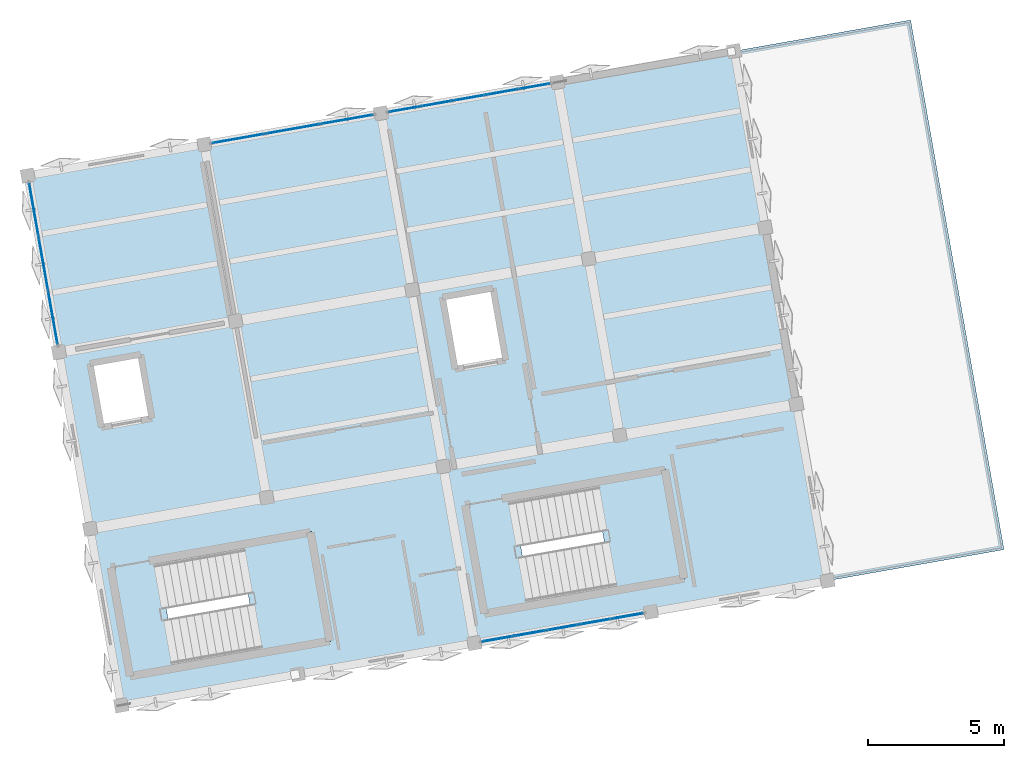
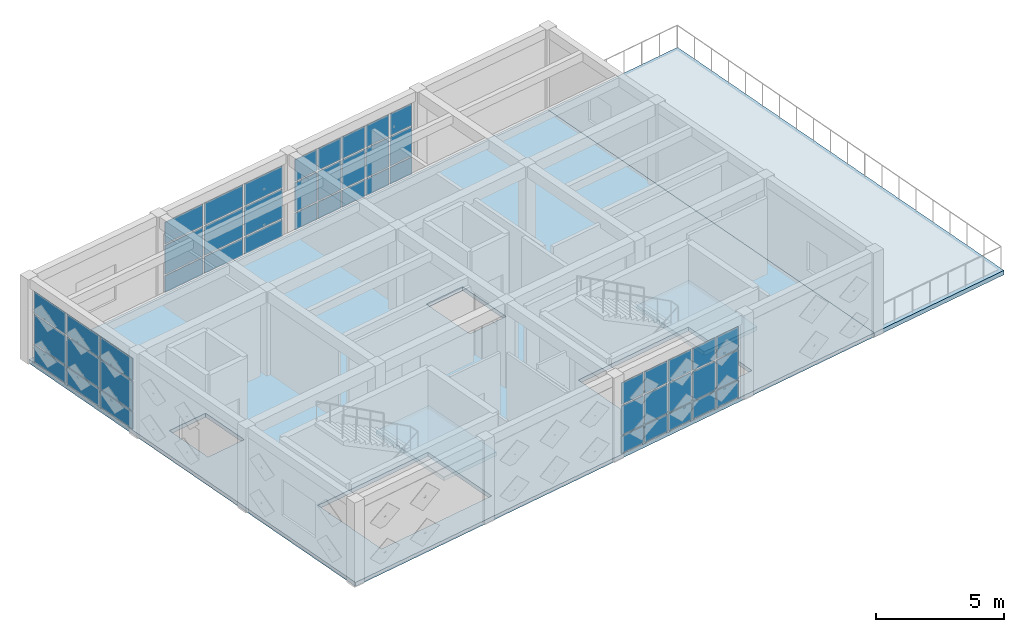
# One storey, part 8 of 13: 48 plates, 4 slabs, 6 elements without a shape of their own.
"""IFC4 building model written with IfcOpenShell, lengths in metres."""

from ifc_helpers import new_model, si_unit, direction, frame, origin, origin_2d, place, context, subcontext, project, spatial, polyline, rectangle, outline, extrude, material, layer, layer_set, type_object, element, aggregate, save


model = new_model("IFC4")

# Units and contexts
model_context = context("Model", 3, precision=1e-05, world=origin(), true_north=direction((0.0, 1.0)))
body_context = subcontext(model_context, "Body", "Model", "MODEL_VIEW")
ifc_project = project(units=[si_unit("LENGTHUNIT", "METRE"), si_unit("AREAUNIT", "SQUARE_METRE"), si_unit("VOLUMEUNIT", "CUBIC_METRE"), si_unit("PLANEANGLEUNIT", "RADIAN"), si_unit("MASSUNIT", "GRAM", prefix="KILO")], contexts=[model_context])

# Site, building, storey
site_placement = place(None, origin())
site = spatial("IfcSite", under=ifc_project, at=site_placement, CompositionType="ELEMENT")
building_placement = place(site_placement, origin())
building = spatial("IfcBuilding", under=site, at=building_placement, Name="Kharisveld Research Institute", CompositionType="ELEMENT")
storey_placement = place(building_placement, frame((0.0, 0.0, 45.0)))
storey = spatial("IfcBuildingStorey", under=building, at=storey_placement, Name="L10", CompositionType="ELEMENT", Elevation=45.0)

# Curtain wall, plates
ifc_material_1 = material(Name="Thermally Broken Aluminium Curtain Wall", Category="aluminium")
ifc_layer_1 = layer(ifc_material_1, 0.159912109375)
ifc_layer_set_1 = layer_set([ifc_layer_1], Name="CW_SYS_05")
curtain_wall_type_1 = type_object("IfcCurtainWallType", Name="CW_SYS_05", PredefinedType="NOTDEFINED", material=ifc_layer_set_1)
curtain_wall_1_placement = place(storey_placement, origin())
curtain_wall_1 = element("IfcCurtainWall", 1, at=curtain_wall_1_placement, inside=storey, type_object=curtain_wall_type_1, Name="CW:V1:L10:W2", PredefinedType="NOTDEFINED")
ifc_material_2 = material(Name="Low-E Double Glazing", Category="glass")
ifc_layer_2 = layer(ifc_material_2, 0.028076171875)
ifc_layer_set_2 = layer_set([ifc_layer_2], Name="CW_PNL_GLZ")
plate_type_1 = type_object("IfcPlateType", Name="CW_PNL_GLZ", PredefinedType="CURTAIN_PANEL", material=ifc_layer_set_2)
plate_1_placement = place(storey_placement, frame((2.685546875, 49.270751953125, 0.06494140625), z_axis=(0.0, 0.0, 1.0), x_axis=(-0.173648102039, 0.984807766347, 0.0)))
plate_1 = element("IfcPlate", 2, at=plate_1_placement, type_object=plate_type_1, Name="CW-05 panel 1.1", PredefinedType="CURTAIN_PANEL", context=body_context, shape_type="SweptSolid", body=[
    extrude(rectangle(XDim=1.931640625, YDim=0.028076171875, at=origin_2d()), origin(), (0.0, 0.0, 1.0), 0.802490234375),
])
plate_2_placement = place(storey_placement, frame((2.685546875, 49.270751953125, 0.9326171875), z_axis=(0.0, 0.0, 1.0), x_axis=(-0.173648102039, 0.984807766347, 0.0)))
plate_2 = element("IfcPlate", 3, at=plate_2_placement, type_object=plate_type_1, Name="CW-05 panel 1.2", PredefinedType="CURTAIN_PANEL", context=body_context, shape_type="SweptSolid", body=[
    extrude(rectangle(XDim=1.931640625, YDim=0.028076171875, at=origin_2d()), origin(), (0.0, 0.0, 1.0), 1.385009765625),
])
plate_3_placement = place(storey_placement, frame((2.685546875, 49.270751953125, 2.38232421875), z_axis=(0.0, 0.0, 1.0), x_axis=(-0.173648102039, 0.984807766347, 0.0)))
plate_3 = element("IfcPlate", 4, at=plate_3_placement, type_object=plate_type_1, Name="CW-05 panel 1.3", PredefinedType="CURTAIN_PANEL", context=body_context, shape_type="SweptSolid", body=[
    extrude(rectangle(XDim=1.931640625, YDim=0.028076171875, at=origin_2d()), origin(), (0.0, 0.0, 1.0), 1.032470703125),
])
plate_4_placement = place(storey_placement, frame((2.334716796875, 51.25927734375, 0.06494140625), z_axis=(0.0, 0.0, 1.0), x_axis=(-0.173648102039, 0.984807766347, 0.0)))
plate_4 = element("IfcPlate", 5, at=plate_4_placement, type_object=plate_type_1, Name="CW-05 panel 2.1", PredefinedType="CURTAIN_PANEL", context=body_context, shape_type="SweptSolid", body=[
    extrude(rectangle(XDim=1.966552734375, YDim=0.028076171875, at=origin_2d()), origin(), (0.0, 0.0, 1.0), 0.802490234375),
])
plate_5_placement = place(storey_placement, frame((2.334716796875, 51.25927734375, 0.9326171875), z_axis=(0.0, 0.0, 1.0), x_axis=(-0.173648102039, 0.984807766347, 0.0)))
plate_5 = element("IfcPlate", 6, at=plate_5_placement, type_object=plate_type_1, Name="CW-05 panel 2.2", PredefinedType="CURTAIN_PANEL", context=body_context, shape_type="SweptSolid", body=[
    extrude(rectangle(XDim=1.966552734375, YDim=0.028076171875, at=origin_2d()), origin(), (0.0, 0.0, 1.0), 1.385009765625),
])
plate_6_placement = place(storey_placement, frame((2.334716796875, 51.25927734375, 2.38232421875), z_axis=(0.0, 0.0, 1.0), x_axis=(-0.173648102039, 0.984807766347, 0.0)))
plate_6 = element("IfcPlate", 7, at=plate_6_placement, type_object=plate_type_1, Name="CW-05 panel 2.3", PredefinedType="CURTAIN_PANEL", context=body_context, shape_type="SweptSolid", body=[
    extrude(rectangle(XDim=1.966552734375, YDim=0.028076171875, at=origin_2d()), origin(), (0.0, 0.0, 1.0), 1.032470703125),
])
plate_7_placement = place(storey_placement, frame((1.984130859375, 53.247802734375, 0.06494140625), z_axis=(0.0, 0.0, 1.0), x_axis=(-0.173648102039, 0.984807766347, 0.0)))
plate_7 = element("IfcPlate", 8, at=plate_7_placement, type_object=plate_type_1, Name="CW-05 panel 3.1", PredefinedType="CURTAIN_PANEL", context=body_context, shape_type="SweptSolid", body=[
    extrude(rectangle(XDim=1.931640625, YDim=0.028076171875, at=origin_2d()), origin(), (0.0, 0.0, 1.0), 0.802490234375),
])
plate_8_placement = place(storey_placement, frame((1.984130859375, 53.247802734375, 0.9326171875), z_axis=(0.0, 0.0, 1.0), x_axis=(-0.173648102039, 0.984807766347, 0.0)))
plate_8 = element("IfcPlate", 9, at=plate_8_placement, type_object=plate_type_1, Name="CW-05 panel 3.2", PredefinedType="CURTAIN_PANEL", context=body_context, shape_type="SweptSolid", body=[
    extrude(rectangle(XDim=1.931640625, YDim=0.028076171875, at=origin_2d()), origin(), (0.0, 0.0, 1.0), 1.385009765625),
])
plate_9_placement = place(storey_placement, frame((1.984130859375, 53.247802734375, 2.38232421875), z_axis=(0.0, 0.0, 1.0), x_axis=(-0.173648102039, 0.984807766347, 0.0)))
plate_9 = element("IfcPlate", 10, at=plate_9_placement, type_object=plate_type_1, Name="CW-05 panel 3.3", PredefinedType="CURTAIN_PANEL", context=body_context, shape_type="SweptSolid", body=[
    extrude(rectangle(XDim=1.931640625, YDim=0.028076171875, at=origin_2d()), origin(), (0.0, 0.0, 1.0), 1.032470703125),
])
aggregate(curtain_wall_1, [plate_1, plate_2, plate_3, plate_4, plate_5, plate_6, plate_7, plate_8, plate_9])

ifc_material_3 = material(Name="Thermally Broken Aluminium Curtain Wall", Category="aluminium")
ifc_layer_3 = layer(ifc_material_3, 0.159912109375)
ifc_layer_set_3 = layer_set([ifc_layer_3], Name="CW_SYS_06")
curtain_wall_type_2 = type_object("IfcCurtainWallType", Name="CW_SYS_06", PredefinedType="NOTDEFINED", material=ifc_layer_set_3)
curtain_wall_2_placement = place(storey_placement, origin())
curtain_wall_2 = element("IfcCurtainWall", 11, at=curtain_wall_2_placement, inside=storey, type_object=curtain_wall_type_2, Name="CW:V1:L10:N1", PredefinedType="NOTDEFINED")
plate_10_placement = place(storey_placement, frame((9.52294921875, 55.877685546875, 0.06494140625), z_axis=(0.0, 0.0, 1.0), x_axis=(0.984807761413, 0.173648130021, 0.0)))
plate_10 = element("IfcPlate", 12, at=plate_10_placement, type_object=plate_type_1, Name="CW-06 panel 1.1", PredefinedType="CURTAIN_PANEL", context=body_context, shape_type="SweptSolid", body=[
    extrude(rectangle(XDim=1.931640625, YDim=0.028076171875, at=origin_2d()), origin(), (0.0, 0.0, 1.0), 0.802490234375),
])
plate_11_placement = place(storey_placement, frame((9.52294921875, 55.877685546875, 0.9326171875), z_axis=(0.0, 0.0, 1.0), x_axis=(0.984807761413, 0.173648130021, 0.0)))
plate_11 = element("IfcPlate", 13, at=plate_11_placement, type_object=plate_type_1, Name="CW-06 panel 1.2", PredefinedType="CURTAIN_PANEL", context=body_context, shape_type="SweptSolid", body=[
    extrude(rectangle(XDim=1.931640625, YDim=0.028076171875, at=origin_2d()), origin(), (0.0, 0.0, 1.0), 1.385009765625),
])
plate_12_placement = place(storey_placement, frame((9.52294921875, 55.877685546875, 2.38232421875), z_axis=(0.0, 0.0, 1.0), x_axis=(0.984807761413, 0.173648130021, 0.0)))
plate_12 = element("IfcPlate", 14, at=plate_12_placement, type_object=plate_type_1, Name="CW-06 panel 1.3", PredefinedType="CURTAIN_PANEL", context=body_context, shape_type="SweptSolid", body=[
    extrude(rectangle(XDim=1.931640625, YDim=0.028076171875, at=origin_2d()), origin(), (0.0, 0.0, 1.0), 1.032470703125),
])
plate_13_placement = place(storey_placement, frame((11.511474609375, 56.228271484375, 0.06494140625), z_axis=(0.0, 0.0, 1.0), x_axis=(0.984807761413, 0.173648130021, 0.0)))
plate_13 = element("IfcPlate", 15, at=plate_13_placement, type_object=plate_type_1, Name="CW-06 panel 2.1", PredefinedType="CURTAIN_PANEL", context=body_context, shape_type="SweptSolid", body=[
    extrude(rectangle(XDim=1.966552734375, YDim=0.028076171875, at=origin_2d()), origin(), (0.0, 0.0, 1.0), 0.802490234375),
])
plate_14_placement = place(storey_placement, frame((11.511474609375, 56.228271484375, 0.9326171875), z_axis=(0.0, 0.0, 1.0), x_axis=(0.984807761413, 0.173648130021, 0.0)))
plate_14 = element("IfcPlate", 16, at=plate_14_placement, type_object=plate_type_1, Name="CW-06 panel 2.2", PredefinedType="CURTAIN_PANEL", context=body_context, shape_type="SweptSolid", body=[
    extrude(rectangle(XDim=1.966552734375, YDim=0.028076171875, at=origin_2d()), origin(), (0.0, 0.0, 1.0), 1.385009765625),
])
plate_15_placement = place(storey_placement, frame((11.511474609375, 56.228271484375, 2.38232421875), z_axis=(0.0, 0.0, 1.0), x_axis=(0.984807761413, 0.173648130021, 0.0)))
plate_15 = element("IfcPlate", 17, at=plate_15_placement, type_object=plate_type_1, Name="CW-06 panel 2.3", PredefinedType="CURTAIN_PANEL", context=body_context, shape_type="SweptSolid", body=[
    extrude(rectangle(XDim=1.966552734375, YDim=0.028076171875, at=origin_2d()), origin(), (0.0, 0.0, 1.0), 1.032470703125),
])
plate_16_placement = place(storey_placement, frame((13.499755859375, 56.578857421875, 0.06494140625), z_axis=(0.0, 0.0, 1.0), x_axis=(0.984807761413, 0.173648130021, 0.0)))
plate_16 = element("IfcPlate", 18, at=plate_16_placement, type_object=plate_type_1, Name="CW-06 panel 3.1", PredefinedType="CURTAIN_PANEL", context=body_context, shape_type="SweptSolid", body=[
    extrude(rectangle(XDim=1.931640625, YDim=0.028076171875, at=origin_2d()), origin(), (0.0, 0.0, 1.0), 0.802490234375),
])
plate_17_placement = place(storey_placement, frame((13.499755859375, 56.578857421875, 0.9326171875), z_axis=(0.0, 0.0, 1.0), x_axis=(0.984807761413, 0.173648130021, 0.0)))
plate_17 = element("IfcPlate", 19, at=plate_17_placement, type_object=plate_type_1, Name="CW-06 panel 3.2", PredefinedType="CURTAIN_PANEL", context=body_context, shape_type="SweptSolid", body=[
    extrude(rectangle(XDim=1.931640625, YDim=0.028076171875, at=origin_2d()), origin(), (0.0, 0.0, 1.0), 1.385009765625),
])
plate_18_placement = place(storey_placement, frame((13.499755859375, 56.578857421875, 2.38232421875), z_axis=(0.0, 0.0, 1.0), x_axis=(0.984807761413, 0.173648130021, 0.0)))
plate_18 = element("IfcPlate", 20, at=plate_18_placement, type_object=plate_type_1, Name="CW-06 panel 3.3", PredefinedType="CURTAIN_PANEL", context=body_context, shape_type="SweptSolid", body=[
    extrude(rectangle(XDim=1.931640625, YDim=0.028076171875, at=origin_2d()), origin(), (0.0, 0.0, 1.0), 1.032470703125),
])
aggregate(curtain_wall_2, [plate_10, plate_11, plate_12, plate_13, plate_14, plate_15, plate_16, plate_17, plate_18])

ifc_material_4 = material(Name="Thermally Broken Aluminium Curtain Wall", Category="aluminium")
ifc_layer_4 = layer(ifc_material_4, 0.159912109375)
ifc_layer_set_4 = layer_set([ifc_layer_4], Name="CW_SYS_01")
curtain_wall_type_3 = type_object("IfcCurtainWallType", Name="CW_SYS_01", PredefinedType="NOTDEFINED", material=ifc_layer_set_4)
curtain_wall_3_placement = place(storey_placement, origin())
curtain_wall_3 = element("IfcCurtainWall", 21, at=curtain_wall_3_placement, inside=storey, type_object=curtain_wall_type_3, Name="CW:V1:L10:N2", PredefinedType="NOTDEFINED")
plate_19_placement = place(storey_placement, frame((15.621337890625, 56.953125, 0.06494140625), z_axis=(0.0, 0.0, 1.0), x_axis=(0.984807766347, 0.173648102039, 0.0)))
plate_19 = element("IfcPlate", 22, at=plate_19_placement, type_object=plate_type_1, Name="CW-01 panel 1.1", PredefinedType="CURTAIN_PANEL", context=body_context, shape_type="SweptSolid", body=[
    extrude(rectangle(XDim=1.116943359375, YDim=0.028076171875, at=origin_2d()), origin(), (0.0, 0.0, 1.0), 0.802490234375),
])
plate_20_placement = place(storey_placement, frame((15.621337890625, 56.953125, 0.9326171875), z_axis=(0.0, 0.0, 1.0), x_axis=(0.984807766347, 0.173648102039, 0.0)))
plate_20 = element("IfcPlate", 23, at=plate_20_placement, type_object=plate_type_1, Name="CW-01 panel 1.2", PredefinedType="CURTAIN_PANEL", context=body_context, shape_type="SweptSolid", body=[
    extrude(rectangle(XDim=1.116943359375, YDim=0.028076171875, at=origin_2d()), origin(), (0.0, 0.0, 1.0), 1.385009765625),
])
plate_21_placement = place(storey_placement, frame((15.621337890625, 56.953125, 2.38232421875), z_axis=(0.0, 0.0, 1.0), x_axis=(0.984807766347, 0.173648102039, 0.0)))
plate_21 = element("IfcPlate", 24, at=plate_21_placement, type_object=plate_type_1, Name="CW-01 panel 1.3", PredefinedType="CURTAIN_PANEL", context=body_context, shape_type="SweptSolid", body=[
    extrude(rectangle(XDim=1.116943359375, YDim=0.028076171875, at=origin_2d()), origin(), (0.0, 0.0, 1.0), 1.032470703125),
])
plate_22_placement = place(storey_placement, frame((16.8076171875, 57.162109375, 0.06494140625), z_axis=(0.0, 0.0, 1.0), x_axis=(0.984807766347, 0.173648102039, 0.0)))
plate_22 = element("IfcPlate", 25, at=plate_22_placement, type_object=plate_type_1, Name="CW-01 panel 2.1", PredefinedType="CURTAIN_PANEL", context=body_context, shape_type="SweptSolid", body=[
    extrude(rectangle(XDim=1.152099609375, YDim=0.028076171875, at=origin_2d()), origin(), (0.0, 0.0, 1.0), 0.802490234375),
])
plate_23_placement = place(storey_placement, frame((16.8076171875, 57.162109375, 0.9326171875), z_axis=(0.0, 0.0, 1.0), x_axis=(0.984807766347, 0.173648102039, 0.0)))
plate_23 = element("IfcPlate", 26, at=plate_23_placement, type_object=plate_type_1, Name="CW-01 panel 2.2", PredefinedType="CURTAIN_PANEL", context=body_context, shape_type="SweptSolid", body=[
    extrude(rectangle(XDim=1.152099609375, YDim=0.028076171875, at=origin_2d()), origin(), (0.0, 0.0, 1.0), 1.385009765625),
])
plate_24_placement = place(storey_placement, frame((16.8076171875, 57.162109375, 2.38232421875), z_axis=(0.0, 0.0, 1.0), x_axis=(0.984807766347, 0.173648102039, 0.0)))
plate_24 = element("IfcPlate", 27, at=plate_24_placement, type_object=plate_type_1, Name="CW-01 panel 2.3", PredefinedType="CURTAIN_PANEL", context=body_context, shape_type="SweptSolid", body=[
    extrude(rectangle(XDim=1.152099609375, YDim=0.028076171875, at=origin_2d()), origin(), (0.0, 0.0, 1.0), 1.032470703125),
])
plate_25_placement = place(storey_placement, frame((18.010986328125, 57.374267578125, 0.06494140625), z_axis=(0.0, 0.0, 1.0), x_axis=(0.984807766347, 0.173648102039, 0.0)))
plate_25 = element("IfcPlate", 28, at=plate_25_placement, type_object=plate_type_1, Name="CW-01 panel 3.1", PredefinedType="CURTAIN_PANEL", context=body_context, shape_type="SweptSolid", body=[
    extrude(rectangle(XDim=1.152099609375, YDim=0.028076171875, at=origin_2d()), origin(), (0.0, 0.0, 1.0), 0.802490234375),
])
plate_26_placement = place(storey_placement, frame((18.010986328125, 57.374267578125, 0.9326171875), z_axis=(0.0, 0.0, 1.0), x_axis=(0.984807766347, 0.173648102039, 0.0)))
plate_26 = element("IfcPlate", 29, at=plate_26_placement, type_object=plate_type_1, Name="CW-01 panel 3.2", PredefinedType="CURTAIN_PANEL", context=body_context, shape_type="SweptSolid", body=[
    extrude(rectangle(XDim=1.152099609375, YDim=0.028076171875, at=origin_2d()), origin(), (0.0, 0.0, 1.0), 1.385009765625),
])
plate_27_placement = place(storey_placement, frame((18.010986328125, 57.374267578125, 2.38232421875), z_axis=(0.0, 0.0, 1.0), x_axis=(0.984807766347, 0.173648102039, 0.0)))
plate_27 = element("IfcPlate", 30, at=plate_27_placement, type_object=plate_type_1, Name="CW-01 panel 3.3", PredefinedType="CURTAIN_PANEL", context=body_context, shape_type="SweptSolid", body=[
    extrude(rectangle(XDim=1.152099609375, YDim=0.028076171875, at=origin_2d()), origin(), (0.0, 0.0, 1.0), 1.032470703125),
])
plate_28_placement = place(storey_placement, frame((19.214599609375, 57.586669921875, 0.06494140625), z_axis=(0.0, 0.0, 1.0), x_axis=(0.984807766347, 0.173648102039, 0.0)))
plate_28 = element("IfcPlate", 31, at=plate_28_placement, type_object=plate_type_1, Name="CW-01 panel 4.1", PredefinedType="CURTAIN_PANEL", context=body_context, shape_type="SweptSolid", body=[
    extrude(rectangle(XDim=1.152099609375, YDim=0.028076171875, at=origin_2d()), origin(), (0.0, 0.0, 1.0), 0.802490234375),
])
plate_29_placement = place(storey_placement, frame((19.214599609375, 57.586669921875, 0.9326171875), z_axis=(0.0, 0.0, 1.0), x_axis=(0.984807766347, 0.173648102039, 0.0)))
plate_29 = element("IfcPlate", 32, at=plate_29_placement, type_object=plate_type_1, Name="CW-01 panel 4.2", PredefinedType="CURTAIN_PANEL", context=body_context, shape_type="SweptSolid", body=[
    extrude(rectangle(XDim=1.152099609375, YDim=0.028076171875, at=origin_2d()), origin(), (0.0, 0.0, 1.0), 1.385009765625),
])
plate_30_placement = place(storey_placement, frame((19.214599609375, 57.586669921875, 2.38232421875), z_axis=(0.0, 0.0, 1.0), x_axis=(0.984807766347, 0.173648102039, 0.0)))
plate_30 = element("IfcPlate", 33, at=plate_30_placement, type_object=plate_type_1, Name="CW-01 panel 4.3", PredefinedType="CURTAIN_PANEL", context=body_context, shape_type="SweptSolid", body=[
    extrude(rectangle(XDim=1.152099609375, YDim=0.028076171875, at=origin_2d()), origin(), (0.0, 0.0, 1.0), 1.032470703125),
])
plate_31_placement = place(storey_placement, frame((20.400634765625, 57.795654296875, 0.06494140625), z_axis=(0.0, 0.0, 1.0), x_axis=(0.984807766347, 0.173648102039, 0.0)))
plate_31 = element("IfcPlate", 34, at=plate_31_placement, type_object=plate_type_1, Name="CW-01 panel 5.1", PredefinedType="CURTAIN_PANEL", context=body_context, shape_type="SweptSolid", body=[
    extrude(rectangle(XDim=1.116943359375, YDim=0.028076171875, at=origin_2d()), origin(), (0.0, 0.0, 1.0), 0.802490234375),
])
plate_32_placement = place(storey_placement, frame((20.400634765625, 57.795654296875, 0.9326171875), z_axis=(0.0, 0.0, 1.0), x_axis=(0.984807766347, 0.173648102039, 0.0)))
plate_32 = element("IfcPlate", 35, at=plate_32_placement, type_object=plate_type_1, Name="CW-01 panel 5.2", PredefinedType="CURTAIN_PANEL", context=body_context, shape_type="SweptSolid", body=[
    extrude(rectangle(XDim=1.116943359375, YDim=0.028076171875, at=origin_2d()), origin(), (0.0, 0.0, 1.0), 1.385009765625),
])
plate_33_placement = place(storey_placement, frame((20.400634765625, 57.795654296875, 2.38232421875), z_axis=(0.0, 0.0, 1.0), x_axis=(0.984807766347, 0.173648102039, 0.0)))
plate_33 = element("IfcPlate", 36, at=plate_33_placement, type_object=plate_type_1, Name="CW-01 panel 5.3", PredefinedType="CURTAIN_PANEL", context=body_context, shape_type="SweptSolid", body=[
    extrude(rectangle(XDim=1.116943359375, YDim=0.028076171875, at=origin_2d()), origin(), (0.0, 0.0, 1.0), 1.032470703125),
])
aggregate(curtain_wall_3, [plate_19, plate_20, plate_21, plate_22, plate_23, plate_24, plate_25, plate_26, plate_27, plate_28, plate_29, plate_30, plate_31, plate_32, plate_33])

ifc_material_5 = material(Name="Thermally Broken Aluminium Curtain Wall", Category="aluminium")
ifc_layer_5 = layer(ifc_material_5, 0.159912109375)
ifc_layer_set_5 = layer_set([ifc_layer_5], Name="CW_SYS_02")
curtain_wall_type_4 = type_object("IfcCurtainWallType", Name="CW_SYS_02", PredefinedType="NOTDEFINED", material=ifc_layer_set_5)
curtain_wall_4_placement = place(storey_placement, origin())
curtain_wall_4 = element("IfcCurtainWall", 37, at=curtain_wall_4_placement, inside=storey, type_object=curtain_wall_type_4, Name="CW:V1:L10:S3", PredefinedType="NOTDEFINED")
ifc_material_6 = material(Name="Insulated Spandrel Glazing", Category="glass")
ifc_layer_6 = layer(ifc_material_6, 0.035888671875)
ifc_layer_set_6 = layer_set([ifc_layer_6], Name="CW_PNL_SPD")
plate_type_2 = type_object("IfcPlateType", Name="CW_PNL_SPD", PredefinedType="CURTAIN_PANEL", material=ifc_layer_set_6)
plate_34_placement = place(storey_placement, frame((23.8388671875, 38.296630859375, 0.06494140625), z_axis=(0.0, 0.0, 1.0), x_axis=(-0.984807766347, -0.173648102039, 0.0)))
plate_34 = element("IfcPlate", 38, at=plate_34_placement, type_object=plate_type_2, Name="CW-02 panel 1.1", PredefinedType="CURTAIN_PANEL", context=body_context, shape_type="SweptSolid", body=[
    extrude(rectangle(XDim=1.116943359375, YDim=0.035888671875, at=origin_2d()), origin(), (0.0, 0.0, 1.0), 0.802490234375),
])
plate_35_placement = place(storey_placement, frame((23.8388671875, 38.296630859375, 0.9326171875), z_axis=(0.0, 0.0, 1.0), x_axis=(-0.984807766347, -0.173648102039, 0.0)))
plate_35 = element("IfcPlate", 39, at=plate_35_placement, type_object=plate_type_2, Name="CW-02 panel 1.2", PredefinedType="CURTAIN_PANEL", context=body_context, shape_type="SweptSolid", body=[
    extrude(rectangle(XDim=1.116943359375, YDim=0.035888671875, at=origin_2d()), origin(), (0.0, 0.0, 1.0), 1.385009765625),
])
plate_36_placement = place(storey_placement, frame((23.8388671875, 38.296630859375, 2.38232421875), z_axis=(0.0, 0.0, 1.0), x_axis=(-0.984807766347, -0.173648102039, 0.0)))
plate_36 = element("IfcPlate", 40, at=plate_36_placement, type_object=plate_type_2, Name="CW-02 panel 1.3", PredefinedType="CURTAIN_PANEL", context=body_context, shape_type="SweptSolid", body=[
    extrude(rectangle(XDim=1.116943359375, YDim=0.035888671875, at=origin_2d()), origin(), (0.0, 0.0, 1.0), 1.032470703125),
])
plate_37_placement = place(storey_placement, frame((22.65283203125, 38.08740234375, 0.06494140625), z_axis=(0.0, 0.0, 1.0), x_axis=(-0.984807766347, -0.173648102039, 0.0)))
plate_37 = element("IfcPlate", 41, at=plate_37_placement, type_object=plate_type_2, Name="CW-02 panel 2.1", PredefinedType="CURTAIN_PANEL", context=body_context, shape_type="SweptSolid", body=[
    extrude(rectangle(XDim=1.152099609375, YDim=0.035888671875, at=origin_2d()), origin(), (0.0, 0.0, 1.0), 0.802490234375),
])
plate_38_placement = place(storey_placement, frame((22.65283203125, 38.08740234375, 0.9326171875), z_axis=(0.0, 0.0, 1.0), x_axis=(-0.984807766347, -0.173648102039, 0.0)))
plate_38 = element("IfcPlate", 42, at=plate_38_placement, type_object=plate_type_2, Name="CW-02 panel 2.2", PredefinedType="CURTAIN_PANEL", context=body_context, shape_type="SweptSolid", body=[
    extrude(rectangle(XDim=1.152099609375, YDim=0.035888671875, at=origin_2d()), origin(), (0.0, 0.0, 1.0), 1.385009765625),
])
plate_39_placement = place(storey_placement, frame((22.65283203125, 38.08740234375, 2.38232421875), z_axis=(0.0, 0.0, 1.0), x_axis=(-0.984807766347, -0.173648102039, 0.0)))
plate_39 = element("IfcPlate", 43, at=plate_39_placement, type_object=plate_type_2, Name="CW-02 panel 2.3", PredefinedType="CURTAIN_PANEL", context=body_context, shape_type="SweptSolid", body=[
    extrude(rectangle(XDim=1.152099609375, YDim=0.035888671875, at=origin_2d()), origin(), (0.0, 0.0, 1.0), 1.032470703125),
])
plate_40_placement = place(storey_placement, frame((21.44921875, 37.875244140625, 0.06494140625), z_axis=(0.0, 0.0, 1.0), x_axis=(-0.984807766347, -0.173648102039, 0.0)))
plate_40 = element("IfcPlate", 44, at=plate_40_placement, type_object=plate_type_2, Name="CW-02 panel 3.1", PredefinedType="CURTAIN_PANEL", context=body_context, shape_type="SweptSolid", body=[
    extrude(rectangle(XDim=1.152099609375, YDim=0.035888671875, at=origin_2d()), origin(), (0.0, 0.0, 1.0), 0.802490234375),
])
plate_41_placement = place(storey_placement, frame((21.44921875, 37.875244140625, 0.9326171875), z_axis=(0.0, 0.0, 1.0), x_axis=(-0.984807766347, -0.173648102039, 0.0)))
plate_41 = element("IfcPlate", 45, at=plate_41_placement, type_object=plate_type_2, Name="CW-02 panel 3.2", PredefinedType="CURTAIN_PANEL", context=body_context, shape_type="SweptSolid", body=[
    extrude(rectangle(XDim=1.152099609375, YDim=0.035888671875, at=origin_2d()), origin(), (0.0, 0.0, 1.0), 1.385009765625),
])
plate_42_placement = place(storey_placement, frame((21.44921875, 37.875244140625, 2.38232421875), z_axis=(0.0, 0.0, 1.0), x_axis=(-0.984807766347, -0.173648102039, 0.0)))
plate_42 = element("IfcPlate", 46, at=plate_42_placement, type_object=plate_type_2, Name="CW-02 panel 3.3", PredefinedType="CURTAIN_PANEL", context=body_context, shape_type="SweptSolid", body=[
    extrude(rectangle(XDim=1.152099609375, YDim=0.035888671875, at=origin_2d()), origin(), (0.0, 0.0, 1.0), 1.032470703125),
])
plate_43_placement = place(storey_placement, frame((20.245849609375, 37.6630859375, 0.06494140625), z_axis=(0.0, 0.0, 1.0), x_axis=(-0.984807766347, -0.173648102039, 0.0)))
plate_43 = element("IfcPlate", 47, at=plate_43_placement, type_object=plate_type_2, Name="CW-02 panel 4.1", PredefinedType="CURTAIN_PANEL", context=body_context, shape_type="SweptSolid", body=[
    extrude(rectangle(XDim=1.152099609375, YDim=0.035888671875, at=origin_2d()), origin(), (0.0, 0.0, 1.0), 0.802490234375),
])
plate_44_placement = place(storey_placement, frame((20.245849609375, 37.6630859375, 0.9326171875), z_axis=(0.0, 0.0, 1.0), x_axis=(-0.984807766347, -0.173648102039, 0.0)))
plate_44 = element("IfcPlate", 48, at=plate_44_placement, type_object=plate_type_2, Name="CW-02 panel 4.2", PredefinedType="CURTAIN_PANEL", context=body_context, shape_type="SweptSolid", body=[
    extrude(rectangle(XDim=1.152099609375, YDim=0.035888671875, at=origin_2d()), origin(), (0.0, 0.0, 1.0), 1.385009765625),
])
plate_45_placement = place(storey_placement, frame((20.245849609375, 37.6630859375, 2.38232421875), z_axis=(0.0, 0.0, 1.0), x_axis=(-0.984807766347, -0.173648102039, 0.0)))
plate_45 = element("IfcPlate", 49, at=plate_45_placement, type_object=plate_type_2, Name="CW-02 panel 4.3", PredefinedType="CURTAIN_PANEL", context=body_context, shape_type="SweptSolid", body=[
    extrude(rectangle(XDim=1.152099609375, YDim=0.035888671875, at=origin_2d()), origin(), (0.0, 0.0, 1.0), 1.032470703125),
])
plate_46_placement = place(storey_placement, frame((19.0595703125, 37.453857421875, 0.06494140625), z_axis=(0.0, 0.0, 1.0), x_axis=(-0.984807766347, -0.173648102039, 0.0)))
plate_46 = element("IfcPlate", 50, at=plate_46_placement, type_object=plate_type_2, Name="CW-02 panel 5.1", PredefinedType="CURTAIN_PANEL", context=body_context, shape_type="SweptSolid", body=[
    extrude(rectangle(XDim=1.116943359375, YDim=0.035888671875, at=origin_2d()), origin(), (0.0, 0.0, 1.0), 0.802490234375),
])
plate_47_placement = place(storey_placement, frame((19.0595703125, 37.453857421875, 0.9326171875), z_axis=(0.0, 0.0, 1.0), x_axis=(-0.984807766347, -0.173648102039, 0.0)))
plate_47 = element("IfcPlate", 51, at=plate_47_placement, type_object=plate_type_2, Name="CW-02 panel 5.2", PredefinedType="CURTAIN_PANEL", context=body_context, shape_type="SweptSolid", body=[
    extrude(rectangle(XDim=1.116943359375, YDim=0.035888671875, at=origin_2d()), origin(), (0.0, 0.0, 1.0), 1.385009765625),
])
plate_48_placement = place(storey_placement, frame((19.0595703125, 37.453857421875, 2.38232421875), z_axis=(0.0, 0.0, 1.0), x_axis=(-0.984807766347, -0.173648102039, 0.0)))
plate_48 = element("IfcPlate", 52, at=plate_48_placement, type_object=plate_type_2, Name="CW-02 panel 5.3", PredefinedType="CURTAIN_PANEL", context=body_context, shape_type="SweptSolid", body=[
    extrude(rectangle(XDim=1.116943359375, YDim=0.035888671875, at=origin_2d()), origin(), (0.0, 0.0, 1.0), 1.032470703125),
])
aggregate(curtain_wall_4, [plate_34, plate_35, plate_36, plate_37, plate_38, plate_39, plate_40, plate_41, plate_42, plate_43, plate_44, plate_45, plate_46, plate_47, plate_48])

# Slabs
ifc_material_7 = material(Name="Concrete C40/50", Category="concrete")
ifc_layer_7 = layer(ifc_material_7, 0.205078125)
ifc_layer_set_7 = layer_set([ifc_layer_7], Name="SL_EXT_205")
slab_type_1 = type_object("IfcSlabType", Name="SL_EXT_205", PredefinedType="FLOOR", material=ifc_layer_set_7)
slab_1_placement = place(storey_placement, frame((0.0, 0.0, -0.205078125)))
element("IfcSlab", 53, at=slab_1_placement, inside=storey, type_object=slab_type_1, Name="SLAB:V1:L10:TERRACE", PredefinedType="FLOOR", context=body_context, shape_type="SweptSolid", body=[
    extrude(outline(polyline([(31.198974609375, 39.59423828125), (37.69873046875, 40.740478515625), (34.260498046875, 60.239501953125), (27.7607421875, 59.093505859375), (31.198974609375, 39.59423828125)])), origin(), (0.0, 0.0, 1.0), 0.205078125),
])
ifc_material_8 = material(Name="Concrete C40/50", Category="concrete")
ifc_layer_8 = layer(ifc_material_8, 0.18994140625)
ifc_layer_set_8 = layer_set([ifc_layer_8], Name="SL_FLR_190")
slab_type_2 = type_object("IfcSlabType", Name="SL_FLR_190", PredefinedType="FLOOR", material=ifc_layer_set_8)
slab_2_placement = place(storey_placement, frame((0.0, 0.0, -0.18994140625)))
element("IfcSlab", 54, at=slab_2_placement, inside=storey, type_object=slab_type_2, Name="SLAB:V1:L10:MAIN", PredefinedType="FLOOR", context=body_context, shape_type="SweptSolid", body=[
    extrude(outline(polyline([(5.199951171875, 35.010009765625), (31.198974609375, 39.59423828125), (27.7607421875, 59.093505859375), (1.76171875, 54.50927734375), (5.199951171875, 35.010009765625)]), holes=[polyline([(12.73974609375, 37.45654296875), (7.224853515625, 36.48388671875), (6.554443359375, 40.285400390625), (12.0693359375, 41.2578125), (12.73974609375, 37.45654296875)]), polyline([(25.788330078125, 39.75732421875), (20.2734375, 38.784912109375), (19.603271484375, 42.586181640625), (25.1181640625, 43.55859375), (25.788330078125, 39.75732421875)]), polyline([(6.29931640625, 45.591552734375), (4.487060546875, 45.272216796875), (4.080810546875, 47.57666015625), (5.892822265625, 47.89599609375), (6.29931640625, 45.591552734375)]), polyline([(19.32470703125, 47.736083984375), (17.5126953125, 47.41650390625), (17.05419921875, 50.016357421875), (18.8662109375, 50.3359375), (19.32470703125, 47.736083984375)])]), origin(), (0.0, 0.0, 1.0), 0.18994140625),
])

# Stair, slab
ifc_material_9 = material(Name="Concrete C40/50", Category="concrete")
stair_type = type_object("IfcStairType", Name="ST_EXIT_170", PredefinedType="TWO_STRAIGHT_RUN_STAIR", material=ifc_material_9)
stair_1_placement = place(storey_placement, origin())
stair_1 = element("IfcStair", 55, at=stair_1_placement, inside=storey, type_object=stair_type, Name="STR:ST1:L10", PredefinedType="TWO_STRAIGHT_RUN_STAIR")
ifc_material_10 = material(Name="Concrete C40/50", Category="concrete")
ifc_layer_9 = layer(ifc_material_10, 0.179931640625)
ifc_layer_set_9 = layer_set([ifc_layer_9], Name="SL_LND_180")
slab_type_3 = type_object("IfcSlabType", Name="SL_LND_180", PredefinedType="LANDING", material=ifc_layer_set_9)
slab_3_placement = place(storey_placement, frame((0.0, 0.0, 1.919921875)))
slab_3 = element("IfcSlab", 56, at=slab_3_placement, type_object=slab_type_3, Name="ST-01 landing 1", PredefinedType="LANDING", context=body_context, shape_type="SweptSolid", body=[
    extrude(outline(polyline([(10.260986328125, 36.887451171875), (12.909912109375, 37.3544921875), (12.194580078125, 41.411865234375), (9.54541015625, 40.94482421875), (10.260986328125, 36.887451171875)])), origin(), (0.0, 0.0, 1.0), 0.18017578125),
])
aggregate(stair_1, [slab_3])

stair_2_placement = place(storey_placement, origin())
stair_2 = element("IfcStair", 57, at=stair_2_placement, inside=storey, type_object=stair_type, Name="STR:ST2:L10", PredefinedType="TWO_STRAIGHT_RUN_STAIR")
slab_4_placement = place(storey_placement, frame((0.0, 0.0, 1.919921875)))
slab_4 = element("IfcSlab", 58, at=slab_4_placement, type_object=slab_type_3, Name="ST-02 landing 1", PredefinedType="LANDING", context=body_context, shape_type="SweptSolid", body=[
    extrude(outline(polyline([(23.3095703125, 39.188232421875), (25.958740234375, 39.6552734375), (25.243408203125, 43.712646484375), (22.59423828125, 43.24560546875), (23.3095703125, 39.188232421875)])), origin(), (0.0, 0.0, 1.0), 0.18017578125),
])
aggregate(stair_2, [slab_4])

save(model, "model.ifc")
